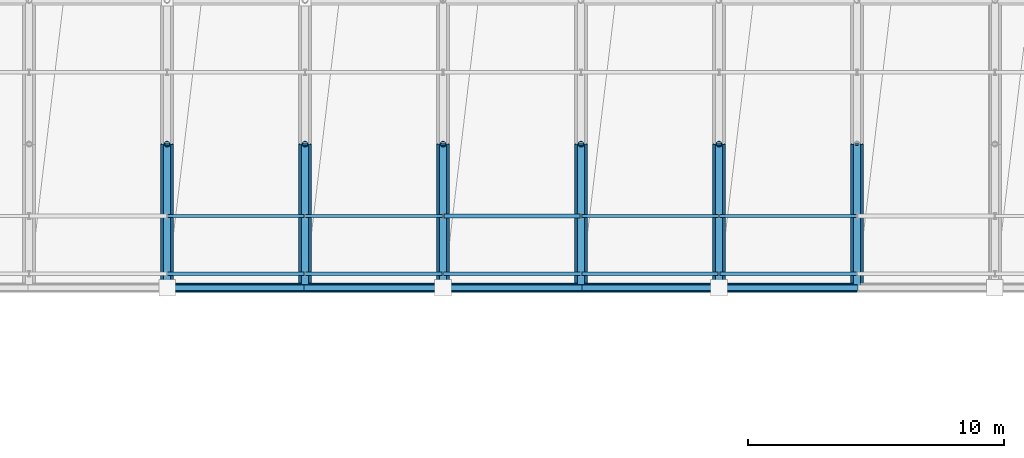
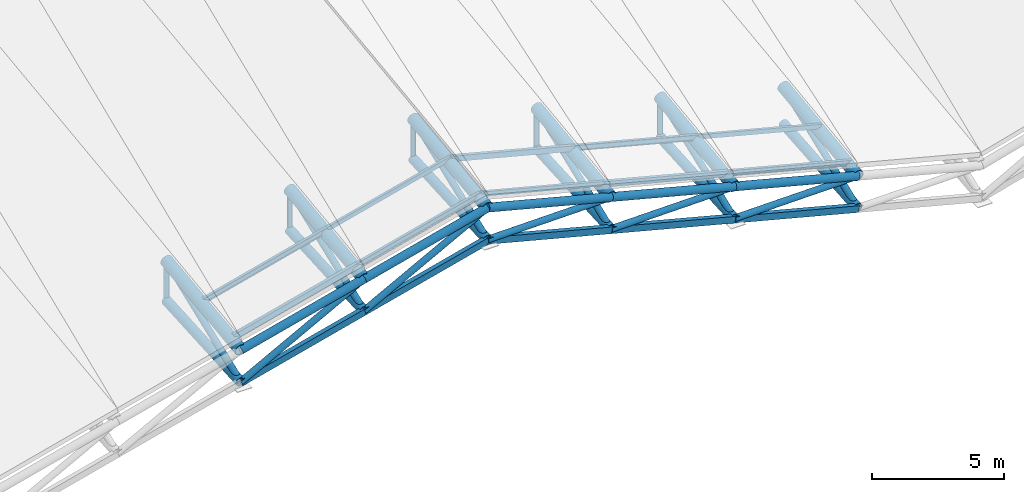
# One storey, part 7 of 109: 36 members, 12 beams.
"""IFC4 building model written with IfcOpenShell, lengths in metres."""

from ifc_helpers import new_model, si_unit, direction, frame, origin, origin_2d, place, context, subcontext, project, spatial, hollow_rectangle, hollow_circle, i_section, extrude, material, material_profile, profile_set, type_object, element, save


model = new_model("IFC4")

# Units and contexts
model_context = context("Model", 3, precision=1e-05, world=origin(), true_north=direction((0.0, 1.0)))
body_context = subcontext(model_context, "Body", "Model", "MODEL_VIEW")
ifc_project = project(units=[si_unit("LENGTHUNIT", "METRE"), si_unit("AREAUNIT", "SQUARE_METRE"), si_unit("VOLUMEUNIT", "CUBIC_METRE"), si_unit("PLANEANGLEUNIT", "RADIAN"), si_unit("MASSUNIT", "GRAM", prefix="KILO")], contexts=[model_context])

# Site, building, storey
site_placement = place(None, origin())
site = spatial("IfcSite", under=ifc_project, at=site_placement, CompositionType="ELEMENT")
building_placement = place(site_placement, origin())
building = spatial("IfcBuilding", under=site, at=building_placement, Name="Suirenkawa Promenade Aquatics Centre", CompositionType="ELEMENT")
storey_placement = place(building_placement, frame((0.0, 0.0, 22.800048828125)))
storey = spatial("IfcBuildingStorey", under=building, at=storey_placement, Name="ROOF", CompositionType="ELEMENT", Elevation=22.800048828125)

# Beams
ifc_material = material(Name="Steel IS 2062 E350 (Grade 350)", Category="steel")
ifc_material_profile_1 = material_profile(ifc_material, hollow_circle(Radius=0.202880859375, WallThickness=0.01806640625, at=origin_2d()), Name="CHS 406x18", Category="steel")
ifc_profile_set_1 = profile_set([ifc_material_profile_1], Name="Steel IS 2062 E350 (Grade 350)")
beam_type_1 = type_object("IfcBeamType", Name="BT-BC-CHS406", PredefinedType="BEAM", material=ifc_profile_set_1)
beam_1_placement = place(storey_placement, frame((100.800048828125, 50.39990234375, -13.679931640625), z_axis=(0.0, 0.997937678539, 0.064190262135), x_axis=(-1.0, 0.0, 0.0)))
element("IfcBeam", 1, at=beam_1_placement, inside=storey, type_object=beam_type_1, Name="ROOF TRUSS V1 bottom chord BC-01 BM-2088", PredefinedType="BEAM", context=body_context, shape_type="SweptSolid", body=[
    extrude(hollow_circle(Radius=0.202880859375, WallThickness=0.01806640625, at=origin_2d()), origin(), (0.0, 0.0, 1.0), 5.63671875),
])
for number, where, z_axis, x_axis, name in (
    (2, (106.199951171875, 50.39990234375, -12.280029296875), (0.0, 0.998272579835, 0.058752500792), (-1.0, 0.0, 0.0), "ROOF TRUSS V1 bottom chord BC-01 BM-2116"),
    (3, (111.60009765625, 50.39990234375, -10.880126953125), (0.0, 0.998272579835, 0.058752500792), (-1.0, 0.0, 0.0), "ROOF TRUSS V1 bottom chord BC-01 BM-2144"),
    (4, (117.0, 50.39990234375, -12.280029296875), (0.0, 0.998272579835, 0.058752500792), (-1.0, 0.0, 0.0), "ROOF TRUSS V1 bottom chord BC-01 BM-2172"),
):
    element("IfcBeam", number, at=place(storey_placement, frame(where, z_axis=z_axis, x_axis=x_axis)), inside=storey, type_object=beam_type_1, Name=name, PredefinedType="BEAM", context=body_context, shape_type="SweptSolid", body=[
        extrude(hollow_circle(Radius=0.202880859375, WallThickness=0.01806640625, at=origin_2d()), origin(), (0.0, 0.0, 1.0), 5.634765625),
    ])
beam_2_placement = place(storey_placement, frame((122.39990234375, 50.39990234375, -13.679931640625), z_axis=(0.0, 0.997937678539, 0.064190262135), x_axis=(-1.0, 0.0, 0.0)))
element("IfcBeam", 5, at=beam_2_placement, inside=storey, type_object=beam_type_1, Name="ROOF TRUSS V1 bottom chord BC-01 BM-2200", PredefinedType="BEAM", context=body_context, shape_type="SweptSolid", body=[
    extrude(hollow_circle(Radius=0.202880859375, WallThickness=0.01806640625, at=origin_2d()), origin(), (0.0, 0.0, 1.0), 5.63671875),
])
beam_3_placement = place(storey_placement, frame((127.800048828125, 50.39990234375, -15.080078125), z_axis=(0.0, 0.996364499948, 0.085192624345), x_axis=(-1.0, 0.0, 0.0)))
element("IfcBeam", 6, at=beam_3_placement, inside=storey, type_object=beam_type_1, Name="ROOF TRUSS V1 bottom chord BC-01 BM-2228", PredefinedType="BEAM", context=body_context, shape_type="SweptSolid", body=[
    extrude(hollow_circle(Radius=0.202880859375, WallThickness=0.01806640625, at=origin_2d()), origin(), (0.0, 0.0, 1.0), 5.6455078125),
])
ifc_material_profile_2 = material_profile(ifc_material, hollow_circle(Radius=0.25390625, WallThickness=0.02392578125, at=origin_2d()), Name="CHS 508x24", Category="steel")
ifc_profile_set_2 = profile_set([ifc_material_profile_2], Name="Steel IS 2062 E350 (Grade 350)")
beam_type_2 = type_object("IfcBeamType", Name="BT-TC-CHS508", PredefinedType="BEAM", material=ifc_profile_set_2)
for number, where, z_axis, x_axis, name in (
    (7, (100.800048828125, 50.39990234375, -12.199951171875), (0.0, 0.991799178012, 0.127806065951), (-1.0, 0.0, 0.0), "ROOF TRUSS V1 top chord TC-02 BM-2087"),
    (8, (106.199951171875, 50.39990234375, -10.800048828125), (0.0, 0.991793720609, 0.127848409297), (-1.0, 0.0, 0.0), "ROOF TRUSS V1 top chord TC-02 BM-2115"),
    (9, (111.60009765625, 50.39990234375, -9.400146484375), (0.0, 0.991793720609, 0.127848409297), (-1.0, 0.0, 0.0), "ROOF TRUSS V1 top chord TC-02 BM-2143"),
    (10, (117.0, 50.39990234375, -10.800048828125), (0.0, 0.991793720609, 0.127848409297), (-1.0, 0.0, 0.0), "ROOF TRUSS V1 top chord TC-02 BM-2171"),
    (11, (122.39990234375, 50.39990234375, -12.199951171875), (0.0, 0.991799178012, 0.127806065951), (-1.0, 0.0, 0.0), "ROOF TRUSS V1 top chord TC-02 BM-2199"),
    (12, (127.800048828125, 50.39990234375, -13.60009765625), (0.0, 0.991793720609, 0.127848409297), (-1.0, 0.0, 0.0), "ROOF TRUSS V1 top chord TC-02 BM-2227"),
):
    element("IfcBeam", number, at=place(storey_placement, frame(where, z_axis=z_axis, x_axis=x_axis)), inside=storey, type_object=beam_type_2, Name=name, PredefinedType="BEAM", context=body_context, shape_type="SweptSolid", body=[
        extrude(hollow_circle(Radius=0.25390625, WallThickness=0.02392578125, at=origin_2d()), origin(), (0.0, 0.0, 1.0), 5.671630859375),
    ])

# Members
ifc_material_profile_3 = material_profile(ifc_material, hollow_circle(Radius=0.177978515625, WallThickness=0.01611328125, at=origin_2d()), Name="CHS 356x16", Category="steel")
ifc_profile_set_3 = profile_set([ifc_material_profile_3], Name="Steel IS 2062 E350 (Grade 350)")
member_type_1 = type_object("IfcMemberType", Name="MT-CHORD-CHS356", PredefinedType="CHORD", material=ifc_profile_set_3)
member_1_placement = place(storey_placement, frame((100.800048828125, 50.39990234375, -12.199951171875), z_axis=(0.968000048288, 0.0, 0.250950007997), x_axis=(0.0, 1.0, 0.0)))
element("IfcMember", 13, at=member_1_placement, inside=storey, type_object=member_type_1, Name="ROOF TRUSS V1 eave top chord CH-02 MB-0598", PredefinedType="CHORD", context=body_context, shape_type="SweptSolid", body=[
    extrude(hollow_circle(Radius=0.177978515625, WallThickness=0.01611328125, at=origin_2d()), origin(), (0.0, 0.0, 1.0), 5.578369140625),
])
member_2_placement = place(storey_placement, frame((106.199951171875, 50.39990234375, -10.800048828125), z_axis=(0.96800280427, 0.0, 0.250939376992), x_axis=(0.0, 1.0, 0.0)))
element("IfcMember", 14, at=member_2_placement, inside=storey, type_object=member_type_1, Name="ROOF TRUSS V1 eave top chord CH-02 MB-0601", PredefinedType="CHORD", context=body_context, shape_type="SweptSolid", body=[
    extrude(hollow_circle(Radius=0.177978515625, WallThickness=0.01611328125, at=origin_2d()), origin(), (0.0, 0.0, 1.0), 5.57861328125),
])
for number, where, z_axis, x_axis, name in (
    (15, (111.60009765625, 50.39990234375, -9.400146484375), (0.968000048288, 0.0, -0.250950007997), (0.0, 1.0, 0.0), "ROOF TRUSS V1 eave top chord CH-02 MB-0604"),
    (16, (117.0, 50.39990234375, -10.800048828125), (0.968000048288, 0.0, -0.250950007997), (0.0, 1.0, 0.0), "ROOF TRUSS V1 eave top chord CH-02 MB-0607"),
):
    element("IfcMember", number, at=place(storey_placement, frame(where, z_axis=z_axis, x_axis=x_axis)), inside=storey, type_object=member_type_1, Name=name, PredefinedType="CHORD", context=body_context, shape_type="SweptSolid", body=[
        extrude(hollow_circle(Radius=0.177978515625, WallThickness=0.01611328125, at=origin_2d()), origin(), (0.0, 0.0, 1.0), 5.578369140625),
    ])
member_3_placement = place(storey_placement, frame((122.39990234375, 50.39990234375, -12.199951171875), z_axis=(0.967992172948, 0.0, -0.250980383917), x_axis=(0.0, 1.0, 0.0)))
element("IfcMember", 17, at=member_3_placement, inside=storey, type_object=member_type_1, Name="ROOF TRUSS V1 eave top chord CH-02 MB-0610", PredefinedType="CHORD", context=body_context, shape_type="SweptSolid", body=[
    extrude(hollow_circle(Radius=0.177978515625, WallThickness=0.01611328125, at=origin_2d()), origin(), (0.0, 0.0, 1.0), 5.57861328125),
])
ifc_material_profile_4 = material_profile(ifc_material, hollow_rectangle(XDim=0.199951171875, YDim=0.300048828125, WallThickness=0.011962890625, at=origin_2d()), Name="RHS 300x200x12", Category="steel")
ifc_profile_set_4 = profile_set([ifc_material_profile_4], Name="Steel IS 2062 E350 (Grade 350)")
member_type_2 = type_object("IfcMemberType", Name="MT-CHORD-RHS300", PredefinedType="CHORD", material=ifc_profile_set_4)
member_4_placement = place(storey_placement, frame((100.800048828125, 50.39990234375, -13.679931640625), z_axis=(0.968000048288, 0.0, 0.250950007997), x_axis=(0.0, 1.0, 0.0)))
element("IfcMember", 18, at=member_4_placement, inside=storey, type_object=member_type_2, Name="ROOF TRUSS V1 eave bottom chord CH-03 MB-0599", PredefinedType="CHORD", context=body_context, shape_type="SweptSolid", body=[
    extrude(hollow_rectangle(XDim=0.199951171875, YDim=0.300048828125, WallThickness=0.011962890625, at=origin_2d()), origin(), (0.0, 0.0, 1.0), 5.578369140625),
])
member_5_placement = place(storey_placement, frame((106.199951171875, 50.39990234375, -12.280029296875), z_axis=(0.96800280427, 0.0, 0.250939376992), x_axis=(0.0, 1.0, 0.0)))
element("IfcMember", 19, at=member_5_placement, inside=storey, type_object=member_type_2, Name="ROOF TRUSS V1 eave bottom chord CH-03 MB-0602", PredefinedType="CHORD", context=body_context, shape_type="SweptSolid", body=[
    extrude(hollow_rectangle(XDim=0.199951171875, YDim=0.300048828125, WallThickness=0.011962890625, at=origin_2d()), origin(), (0.0, 0.0, 1.0), 5.57861328125),
])
for number, where, z_axis, x_axis, name in (
    (20, (111.60009765625, 50.39990234375, -10.880126953125), (0.968000048288, 0.0, -0.250950007997), (0.0, 1.0, 0.0), "ROOF TRUSS V1 eave bottom chord CH-03 MB-0605"),
    (21, (117.0, 50.39990234375, -12.280029296875), (0.968000048288, 0.0, -0.250950007997), (0.0, 1.0, 0.0), "ROOF TRUSS V1 eave bottom chord CH-03 MB-0608"),
):
    element("IfcMember", number, at=place(storey_placement, frame(where, z_axis=z_axis, x_axis=x_axis)), inside=storey, type_object=member_type_2, Name=name, PredefinedType="CHORD", context=body_context, shape_type="SweptSolid", body=[
        extrude(hollow_rectangle(XDim=0.199951171875, YDim=0.300048828125, WallThickness=0.011962890625, at=origin_2d()), origin(), (0.0, 0.0, 1.0), 5.578369140625),
    ])
member_6_placement = place(storey_placement, frame((122.39990234375, 50.39990234375, -13.679931640625), z_axis=(0.967992172948, 0.0, -0.250980383917), x_axis=(0.0, 1.0, 0.0)))
element("IfcMember", 22, at=member_6_placement, inside=storey, type_object=member_type_2, Name="ROOF TRUSS V1 eave bottom chord CH-03 MB-0611", PredefinedType="CHORD", context=body_context, shape_type="SweptSolid", body=[
    extrude(hollow_rectangle(XDim=0.199951171875, YDim=0.300048828125, WallThickness=0.011962890625, at=origin_2d()), origin(), (0.0, 0.0, 1.0), 5.57861328125),
])
ifc_material_profile_5 = material_profile(ifc_material, i_section(OverallWidth=0.125, OverallDepth=0.25, WebThickness=0.007080078125, FlangeThickness=0.012939453125, at=origin_2d()), Name="ISMB 250", Category="steel")
ifc_profile_set_5 = profile_set([ifc_material_profile_5], Name="Steel IS 2062 E350 (Grade 350)")
member_type_3 = type_object("IfcMemberType", Name="MT-PURLIN-ISMB250", PredefinedType="PURLIN", material=ifc_profile_set_5)
member_7_placement = place(storey_placement, frame((100.800048828125, 53.2119140625, -11.616943359375), z_axis=(0.968000048288, 0.0, 0.250950007997), x_axis=(0.0, 1.0, 0.0)))
element("IfcMember", 23, at=member_7_placement, inside=storey, type_object=member_type_3, Name="ROOF TRUSS Roof purlin PU-04 MB-2049", PredefinedType="PURLIN", context=body_context, shape_type="SweptSolid", body=[
    extrude(i_section(OverallWidth=0.125, OverallDepth=0.25, WebThickness=0.007080078125, FlangeThickness=0.012939453125, at=origin_2d()), origin(), (0.0, 0.0, 1.0), 5.578369140625),
])
member_8_placement = place(storey_placement, frame((106.199951171875, 50.949951171875, -10.508056640625), z_axis=(0.96800280427, 0.0, 0.250939376992), x_axis=(0.0, 1.0, 0.0)))
element("IfcMember", 24, at=member_8_placement, inside=storey, type_object=member_type_3, Name="ROOF TRUSS Roof purlin PU-04 MB-2083", PredefinedType="PURLIN", context=body_context, shape_type="SweptSolid", body=[
    extrude(i_section(OverallWidth=0.125, OverallDepth=0.25, WebThickness=0.007080078125, FlangeThickness=0.012939453125, at=origin_2d()), origin(), (0.0, 0.0, 1.0), 5.57861328125),
])
member_9_placement = place(storey_placement, frame((117.0, 53.2119140625, -10.217041015625), z_axis=(0.968000048288, 0.0, -0.250950007997), x_axis=(0.0, 1.0, 0.0)))
element("IfcMember", 25, at=member_9_placement, inside=storey, type_object=member_type_3, Name="ROOF TRUSS Roof purlin PU-04 MB-2157", PredefinedType="PURLIN", context=body_context, shape_type="SweptSolid", body=[
    extrude(i_section(OverallWidth=0.125, OverallDepth=0.25, WebThickness=0.007080078125, FlangeThickness=0.012939453125, at=origin_2d()), origin(), (0.0, 0.0, 1.0), 5.578369140625),
])
member_10_placement = place(storey_placement, frame((122.39990234375, 50.949951171875, -11.907958984375), z_axis=(0.967992172948, 0.0, -0.250980383917), x_axis=(0.0, 1.0, 0.0)))
element("IfcMember", 26, at=member_10_placement, inside=storey, type_object=member_type_3, Name="ROOF TRUSS Roof purlin PU-04 MB-2191", PredefinedType="PURLIN", context=body_context, shape_type="SweptSolid", body=[
    extrude(i_section(OverallWidth=0.125, OverallDepth=0.25, WebThickness=0.007080078125, FlangeThickness=0.012939453125, at=origin_2d()), origin(), (0.0, 0.0, 1.0), 5.57861328125),
])
ifc_material_profile_6 = material_profile(ifc_material, hollow_rectangle(XDim=0.1201171875, YDim=0.199951171875, WallThickness=0.008056640625, at=origin_2d()), Name="RHS 200x120x8", Category="steel")
ifc_profile_set_6 = profile_set([ifc_material_profile_6], Name="Steel IS 2062 E350 (Grade 350)")
member_type_4 = type_object("IfcMemberType", Name="MT-PURLIN-RHS200", PredefinedType="PURLIN", material=ifc_profile_set_6)
member_11_placement = place(storey_placement, frame((106.199951171875, 53.2119140625, -10.191162109375), z_axis=(0.967992172948, 0.0, 0.250980383917), x_axis=(0.0, 1.0, 0.0)))
element("IfcMember", 27, at=member_11_placement, inside=storey, type_object=member_type_4, Name="ROOF TRUSS Roof purlin PU-02 MB-2085", PredefinedType="PURLIN", context=body_context, shape_type="SweptSolid", body=[
    extrude(hollow_rectangle(XDim=0.1201171875, YDim=0.199951171875, WallThickness=0.008056640625, at=origin_2d()), origin(), (0.0, 0.0, 1.0), 5.57861328125),
])
member_12_placement = place(storey_placement, frame((111.60009765625, 50.949951171875, -9.0830078125), z_axis=(0.967989416096, 0.0, -0.250991016426), x_axis=(0.0, 1.0, 0.0)))
element("IfcMember", 28, at=member_12_placement, inside=storey, type_object=member_type_4, Name="ROOF TRUSS Roof purlin PU-02 MB-2119", PredefinedType="PURLIN", context=body_context, shape_type="SweptSolid", body=[
    extrude(hollow_rectangle(XDim=0.1201171875, YDim=0.199951171875, WallThickness=0.008056640625, at=origin_2d()), origin(), (0.0, 0.0, 1.0), 5.578369140625),
])
member_13_placement = place(storey_placement, frame((122.39990234375, 53.2119140625, -11.591064453125), z_axis=(0.96800280427, 0.0, -0.250939376992), x_axis=(0.0, 1.0, 0.0)))
element("IfcMember", 29, at=member_13_placement, inside=storey, type_object=member_type_4, Name="ROOF TRUSS Roof purlin PU-02 MB-2193", PredefinedType="PURLIN", context=body_context, shape_type="SweptSolid", body=[
    extrude(hollow_rectangle(XDim=0.1201171875, YDim=0.199951171875, WallThickness=0.008056640625, at=origin_2d()), origin(), (0.0, 0.0, 1.0), 5.57861328125),
])
ifc_material_profile_7 = material_profile(ifc_material, hollow_rectangle(XDim=0.14990234375, YDim=0.25, WallThickness=0.010009765625, at=origin_2d()), Name="RHS 250x150x10", Category="steel")
ifc_profile_set_7 = profile_set([ifc_material_profile_7], Name="Steel IS 2062 E350 (Grade 350)")
member_type_5 = type_object("IfcMemberType", Name="MT-PURLIN-RHS250", PredefinedType="PURLIN", material=ifc_profile_set_7)
for number, where, z_axis, x_axis, name in (
    (30, (100.800048828125, 50.949951171875, -11.91015625), (0.967989416096, 0.0, 0.250991016426), (0.0, 1.0, 0.0), "ROOF TRUSS Roof purlin PU-03 MB-2047"),
    (31, (111.60009765625, 53.2119140625, -8.818115234375), (0.968000048288, 0.0, -0.250950007997), (0.0, 1.0, 0.0), "ROOF TRUSS Roof purlin PU-03 MB-2121"),
    (32, (117.0, 50.949951171875, -10.510009765625), (0.967989416096, 0.0, -0.250991016426), (0.0, 1.0, 0.0), "ROOF TRUSS Roof purlin PU-03 MB-2155"),
):
    element("IfcMember", number, at=place(storey_placement, frame(where, z_axis=z_axis, x_axis=x_axis)), inside=storey, type_object=member_type_5, Name=name, PredefinedType="PURLIN", context=body_context, shape_type="SweptSolid", body=[
        extrude(hollow_rectangle(XDim=0.14990234375, YDim=0.25, WallThickness=0.010009765625, at=origin_2d()), origin(), (0.0, 0.0, 1.0), 5.578369140625),
    ])
ifc_material_profile_8 = material_profile(ifc_material, hollow_circle(Radius=0.110107421875, WallThickness=0.010009765625, at=origin_2d()), Name="CHS 220x10", Category="steel")
ifc_profile_set_8 = profile_set([ifc_material_profile_8], Name="Steel IS 2062 E350 (Grade 350)")
member_type_6 = type_object("IfcMemberType", Name="MT-WEB-CHS220", PredefinedType="BRACE", material=ifc_profile_set_8)
member_14_placement = place(storey_placement, frame((100.800048828125, 56.02490234375, -13.318115234375), z_axis=(0.0, 0.0, 1.0), x_axis=(1.0, 0.0, 0.0)))
element("IfcMember", 33, at=member_14_placement, inside=storey, type_object=member_type_6, Name="ROOF TRUSS V1 web post TD-01 MB-0285", PredefinedType="BRACE", context=body_context, shape_type="SweptSolid", body=[
    extrude(hollow_circle(Radius=0.110107421875, WallThickness=0.010009765625, at=origin_2d()), origin(), (0.0, 0.0, 1.0), 1.843017578125),
])
for number, where, z_axis, x_axis, name in (
    (34, (106.199951171875, 56.02490234375, -11.948974609375), (0.0, 0.0, 1.0), (1.0, 0.0, 0.0), "ROOF TRUSS V1 web post TD-01 MB-0312"),
    (35, (111.60009765625, 56.02490234375, -10.549072265625), (0.0, 0.0, 1.0), (1.0, 0.0, 0.0), "ROOF TRUSS V1 web post TD-01 MB-0339"),
    (36, (117.0, 56.02490234375, -11.948974609375), (0.0, 0.0, 1.0), (1.0, 0.0, 0.0), "ROOF TRUSS V1 web post TD-01 MB-0366"),
):
    element("IfcMember", number, at=place(storey_placement, frame(where, z_axis=z_axis, x_axis=x_axis)), inside=storey, type_object=member_type_6, Name=name, PredefinedType="BRACE", context=body_context, shape_type="SweptSolid", body=[
        extrude(hollow_circle(Radius=0.110107421875, WallThickness=0.010009765625, at=origin_2d()), origin(), (0.0, 0.0, 1.0), 1.8740234375),
    ])
member_15_placement = place(storey_placement, frame((122.39990234375, 56.02490234375, -13.318115234375), z_axis=(0.0, 0.0, 1.0), x_axis=(1.0, 0.0, 0.0)))
element("IfcMember", 37, at=member_15_placement, inside=storey, type_object=member_type_6, Name="ROOF TRUSS V1 web post TD-01 MB-0393", PredefinedType="BRACE", context=body_context, shape_type="SweptSolid", body=[
    extrude(hollow_circle(Radius=0.110107421875, WallThickness=0.010009765625, at=origin_2d()), origin(), (0.0, 0.0, 1.0), 1.843017578125),
])
ifc_material_profile_9 = material_profile(ifc_material, hollow_circle(Radius=0.136962890625, WallThickness=0.011962890625, at=origin_2d()), Name="CHS 274x12", Category="steel")
ifc_profile_set_9 = profile_set([ifc_material_profile_9], Name="Steel IS 2062 E350 (Grade 350)")
member_type_7 = type_object("IfcMemberType", Name="MT-WEB-CHS274", PredefinedType="BRACE", material=ifc_profile_set_9)
for number, where, z_axis, x_axis, name in (
    (38, (100.800048828125, 50.39990234375, -13.679931640625), (0.0, 0.931032164378, 0.364937130056), (-1.0, 0.0, 0.0), "ROOF TRUSS V1 web diagonal TD-02 MB-0271"),
    (39, (106.199951171875, 50.39990234375, -12.280029296875), (0.0, 0.931018434098, 0.364972156978), (-1.0, 0.0, 0.0), "ROOF TRUSS V1 web diagonal TD-02 MB-0298"),
    (40, (111.60009765625, 50.39990234375, -10.880126953125), (0.0, 0.931018434098, 0.364972156978), (-1.0, 0.0, 0.0), "ROOF TRUSS V1 web diagonal TD-02 MB-0325"),
    (41, (117.0, 50.39990234375, -12.280029296875), (0.0, 0.931018434098, 0.364972156978), (-1.0, 0.0, 0.0), "ROOF TRUSS V1 web diagonal TD-02 MB-0352"),
    (42, (122.39990234375, 50.39990234375, -13.679931640625), (0.0, 0.931032164378, 0.364937130056), (-1.0, 0.0, 0.0), "ROOF TRUSS V1 web diagonal TD-02 MB-0379"),
    (43, (127.800048828125, 50.39990234375, -15.080078125), (0.0, 0.931018434098, 0.364972156978), (-1.0, 0.0, 0.0), "ROOF TRUSS V1 web diagonal TD-02 MB-0406"),
):
    element("IfcMember", number, at=place(storey_placement, frame(where, z_axis=z_axis, x_axis=x_axis)), inside=storey, type_object=member_type_7, Name=name, PredefinedType="BRACE", context=body_context, shape_type="SweptSolid", body=[
        extrude(hollow_circle(Radius=0.136962890625, WallThickness=0.011962890625, at=origin_2d()), origin(), (0.0, 0.0, 1.0), 6.041748046875),
    ])
member_16_placement = place(storey_placement, frame((100.800048828125, 50.39990234375, -13.679931640625), z_axis=(0.882357358376, 0.0, 0.470579952952), x_axis=(0.0, 1.0, 0.0)))
element("IfcMember", 44, at=member_16_placement, inside=storey, type_object=member_type_7, Name="ROOF TRUSS V1 eave web diagonal TD-02 MB-0600", PredefinedType="BRACE", context=body_context, shape_type="SweptSolid", body=[
    extrude(hollow_circle(Radius=0.136962890625, WallThickness=0.011962890625, at=origin_2d()), origin(), (0.0, 0.0, 1.0), 6.119873046875),
])
member_17_placement = place(storey_placement, frame((106.199951171875, 50.39990234375, -12.280029296875), z_axis=(0.882366192074, 0.0, 0.470563389019), x_axis=(0.0, 1.0, 0.0)))
element("IfcMember", 45, at=member_17_placement, inside=storey, type_object=member_type_7, Name="ROOF TRUSS V1 eave web diagonal TD-02 MB-0603", PredefinedType="BRACE", context=body_context, shape_type="SweptSolid", body=[
    extrude(hollow_circle(Radius=0.136962890625, WallThickness=0.011962890625, at=origin_2d()), origin(), (0.0, 0.0, 1.0), 6.1201171875),
])
for number, where, z_axis, x_axis, name in (
    (46, (111.60009765625, 50.39990234375, -10.880126953125), (0.999890060347, 0.0, 0.014827920237), (0.0, 1.0, 0.0), "ROOF TRUSS V1 eave web diagonal TD-02 MB-0606"),
    (47, (117.0, 50.39990234375, -12.280029296875), (0.999890060347, 0.0, 0.014827920237), (0.0, 1.0, 0.0), "ROOF TRUSS V1 eave web diagonal TD-02 MB-0609"),
):
    element("IfcMember", number, at=place(storey_placement, frame(where, z_axis=z_axis, x_axis=x_axis)), inside=storey, type_object=member_type_7, Name=name, PredefinedType="BRACE", context=body_context, shape_type="SweptSolid", body=[
        extrude(hollow_circle(Radius=0.136962890625, WallThickness=0.011962890625, at=origin_2d()), origin(), (0.0, 0.0, 1.0), 5.400390625),
    ])
member_18_placement = place(storey_placement, frame((122.39990234375, 50.39990234375, -13.679931640625), z_axis=(0.999890739458, 0.0, 0.014782054876), x_axis=(0.0, 1.0, 0.0)))
element("IfcMember", 48, at=member_18_placement, inside=storey, type_object=member_type_7, Name="ROOF TRUSS V1 eave web diagonal TD-02 MB-0612", PredefinedType="BRACE", context=body_context, shape_type="SweptSolid", body=[
    extrude(hollow_circle(Radius=0.136962890625, WallThickness=0.011962890625, at=origin_2d()), origin(), (0.0, 0.0, 1.0), 5.400634765625),
])

save(model, "model.ifc")
